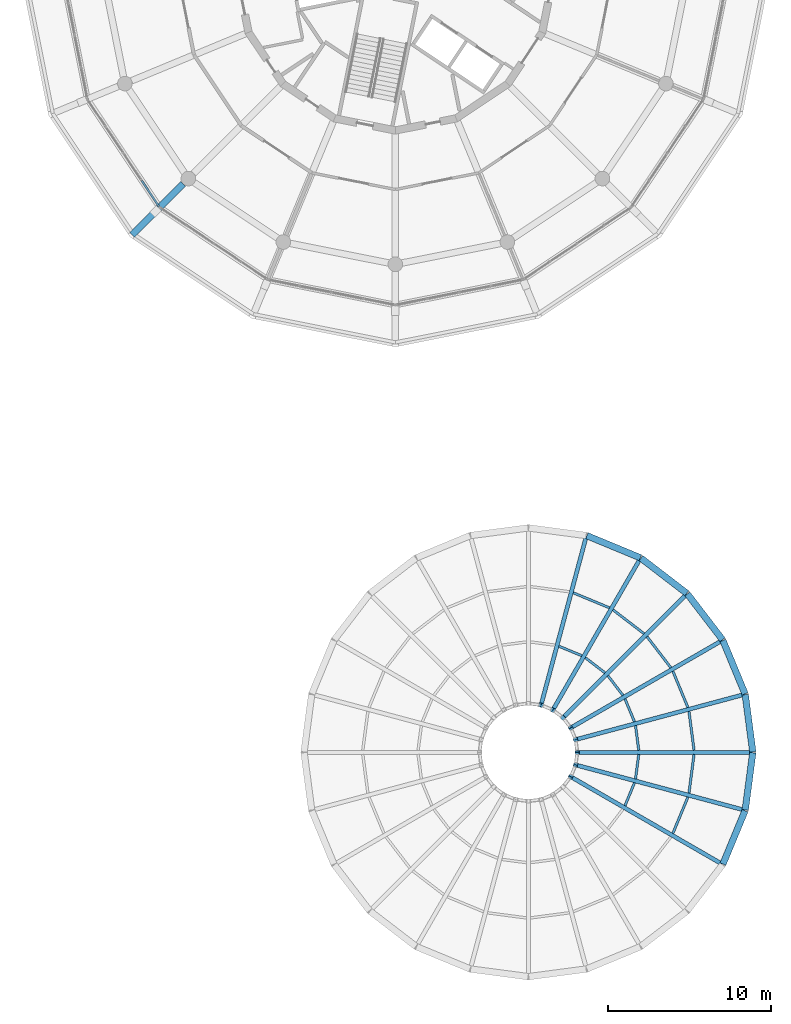
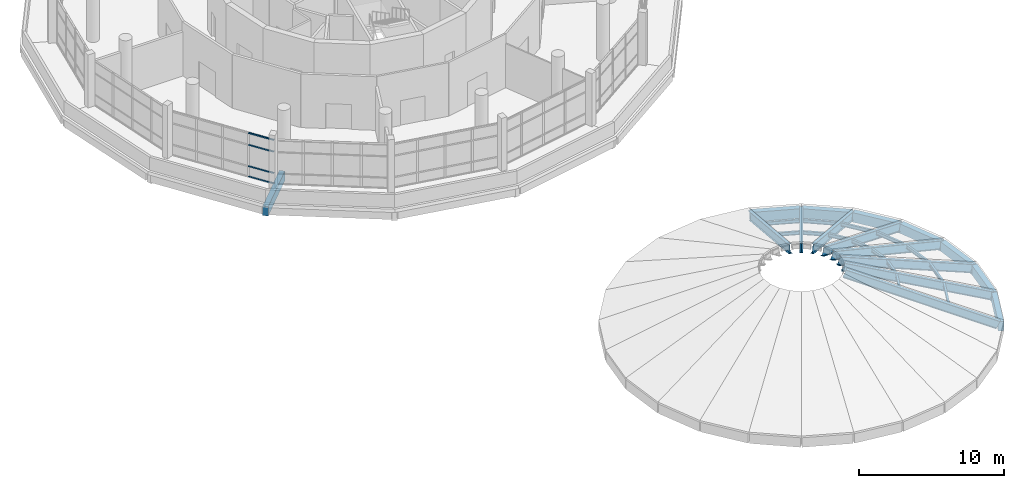
# One storey, part 2 of 21: 30 beams, 4 members, 1 element without a shape of its own.
"""IFC4 building model written with IfcOpenShell, lengths in metres."""

from ifc_helpers import new_model, si_unit, direction, frame, origin, origin_2d, place, context, subcontext, project, spatial, rectangle, i_section, extrude, material, material_profile, profile_set, type_object, element, aggregate, save


model = new_model("IFC4")

# Units and contexts
model_context = context("Model", 3, precision=1e-05, world=origin(), true_north=direction((0.0, 1.0)))
body_context = subcontext(model_context, "Body", "Model", "MODEL_VIEW")
ifc_project = project(units=[si_unit("LENGTHUNIT", "METRE"), si_unit("AREAUNIT", "SQUARE_METRE"), si_unit("VOLUMEUNIT", "CUBIC_METRE"), si_unit("PLANEANGLEUNIT", "RADIAN"), si_unit("MASSUNIT", "GRAM", prefix="KILO")], contexts=[model_context])

# Site, building, storey
site_placement = place(None, origin())
site = spatial("IfcSite", under=ifc_project, at=site_placement, CompositionType="ELEMENT")
building_placement = place(site_placement, origin())
building = spatial("IfcBuilding", under=site, at=building_placement, Name="Ceibo Conservatory and Research Tower", CompositionType="ELEMENT")
storey_placement = place(building_placement, frame((0.0, 0.0, 15.60009765625)))
storey = spatial("IfcBuildingStorey", under=building, at=storey_placement, Name="L03", CompositionType="ELEMENT", Elevation=15.60009765625)

# Curtain wall, members
ifc_material_1 = material(Name="Aluminium and glass", Category="aluminium")
curtain_wall_type = type_object("IfcCurtainWallType", Name="Curtain wall CW1", PredefinedType="NOTDEFINED", material=ifc_material_1)
curtain_wall_placement = place(storey_placement, origin())
curtain_wall = element("IfcCurtainWall", 1, at=curtain_wall_placement, inside=storey, type_object=curtain_wall_type, Name="CW-03.10", PredefinedType="NOTDEFINED")
ifc_material_2 = material(Name="Aluminium", Category="aluminium")
ifc_material_profile_1 = material_profile(ifc_material_2, rectangle(XDim=0.1201171875, YDim=0.06005859375, at=origin_2d()), Name="Aluminium 60 x 120")
ifc_profile_set_1 = profile_set([ifc_material_profile_1], Name="Aluminium")
member_type = type_object("IfcMemberType", Name="Aluminium transom 60 x 120", PredefinedType="USERDEFINED", material=ifc_profile_set_1)
member_1_placement = place(storey_placement, frame((32.409912109375, 107.14208984375, 0.02978515625), z_axis=(0.555584916278, -0.831459801075, 0.0), x_axis=(0.831459801075, 0.555584916278, 0.0)))
member_1 = element("IfcMember", 2, at=member_1_placement, type_object=member_type, Name="CW-03.10 transom 4.1", ObjectType="TRANSOM", PredefinedType="USERDEFINED", context=body_context, shape_type="SweptSolid", body=[
    extrude(rectangle(XDim=0.1201171875, YDim=0.06005859375, at=origin_2d()), origin(), (0.0, 0.0, 1.0), 1.90966796875),
])
member_2_placement = place(storey_placement, frame((32.409912109375, 107.14208984375, 0.89990234375), z_axis=(0.555584916278, -0.831459801075, 0.0), x_axis=(0.831459801075, 0.555584916278, 0.0)))
member_2 = element("IfcMember", 3, at=member_2_placement, type_object=member_type, Name="CW-03.10 transom 4.2", ObjectType="TRANSOM", PredefinedType="USERDEFINED", context=body_context, shape_type="SweptSolid", body=[
    extrude(rectangle(XDim=0.1201171875, YDim=0.06005859375, at=origin_2d()), origin(), (0.0, 0.0, 1.0), 1.90966796875),
])
member_3_placement = place(storey_placement, frame((32.409912109375, 107.14208984375, 2.699951171875), z_axis=(0.555584916278, -0.831459801075, 0.0), x_axis=(0.831459801075, 0.555584916278, 0.0)))
member_3 = element("IfcMember", 4, at=member_3_placement, type_object=member_type, Name="CW-03.10 transom 4.3", ObjectType="TRANSOM", PredefinedType="USERDEFINED", context=body_context, shape_type="SweptSolid", body=[
    extrude(rectangle(XDim=0.1201171875, YDim=0.06005859375, at=origin_2d()), origin(), (0.0, 0.0, 1.0), 1.90966796875),
])
member_4_placement = place(storey_placement, frame((32.409912109375, 107.14208984375, 3.68994140625), z_axis=(0.555584916278, -0.831459801075, 0.0), x_axis=(0.831459801075, 0.555584916278, 0.0)))
member_4 = element("IfcMember", 5, at=member_4_placement, type_object=member_type, Name="CW-03.10 transom 4.4", ObjectType="TRANSOM", PredefinedType="USERDEFINED", context=body_context, shape_type="SweptSolid", body=[
    extrude(rectangle(XDim=0.1201171875, YDim=0.06005859375, at=origin_2d()), origin(), (0.0, 0.0, 1.0), 1.90966796875),
])
aggregate(curtain_wall, [member_1, member_2, member_3, member_4])

# Beams
ifc_material_3 = material(Name="Concrete C35/45", Category="concrete")
ifc_material_profile_2 = material_profile(ifc_material_3, rectangle(XDim=0.39990234375, YDim=0.800048828125, at=origin_2d()), Name="RC 400x800")
ifc_profile_set_2 = profile_set([ifc_material_profile_2], Name="Concrete C35/45")
beam_type_1 = type_object("IfcBeamType", Name="RC beam 400x800 C35", PredefinedType="BEAM", material=ifc_profile_set_2)
beam_1_placement = place(storey_placement, frame((69.974853515625, 72.026123046875, 0.349853515625), z_axis=(-0.130482981263, 0.991450549246, 0.0), x_axis=(-0.991450549246, -0.130482981263, 0.0)))
element("IfcBeam", 6, at=beam_1_placement, inside=storey, type_object=beam_type_1, Name="Auditorium ring beam 01", PredefinedType="BEAM", context=body_context, shape_type="SweptSolid", body=[
    extrude(rectangle(XDim=0.39990234375, YDim=0.800048828125, at=origin_2d()), origin(), (0.0, 0.0, 1.0), 3.54931640625),
])
beam_2_placement = place(storey_placement, frame((69.498046875, 75.595703125, 0.349853515625), z_axis=(-0.382665679772, 0.923886885676, 0.0), x_axis=(-0.923886885676, -0.382665679772, 0.0)))
element("IfcBeam", 7, at=beam_2_placement, inside=storey, type_object=beam_type_1, Name="Auditorium ring beam 02", PredefinedType="BEAM", context=body_context, shape_type="SweptSolid", body=[
    extrude(rectangle(XDim=0.39990234375, YDim=0.800048828125, at=origin_2d()), origin(), (0.0, 0.0, 1.0), 3.549072265625),
])
beam_3_placement = place(storey_placement, frame((68.11376953125, 78.919921875, 0.349853515625), z_axis=(-0.608756372486, 0.793357220272, 0.0), x_axis=(-0.793357220272, -0.608756372486, 0.0)))
element("IfcBeam", 8, at=beam_3_placement, inside=storey, type_object=beam_type_1, Name="Auditorium ring beam 03", PredefinedType="BEAM", context=body_context, shape_type="SweptSolid", body=[
    extrude(rectangle(XDim=0.39990234375, YDim=0.800048828125, at=origin_2d()), origin(), (0.0, 0.0, 1.0), 3.549560546875),
])
beam_4_placement = place(storey_placement, frame((65.916015625, 81.77294921875, 0.349853515625), z_axis=(-0.793364950044, 0.608746298586, 0.0), x_axis=(-0.608746298586, -0.793364950044, 0.0)))
element("IfcBeam", 9, at=beam_4_placement, inside=storey, type_object=beam_type_1, Name="Auditorium ring beam 04", PredefinedType="BEAM", context=body_context, shape_type="SweptSolid", body=[
    extrude(rectangle(XDim=0.39990234375, YDim=0.800048828125, at=origin_2d()), origin(), (0.0, 0.0, 1.0), 3.54931640625),
])
beam_5_placement = place(storey_placement, frame((63.054931640625, 83.959716796875, 0.349853515625), z_axis=(-0.923872639928, 0.382700072108, 0.0), x_axis=(-0.382700072108, -0.923872639928, 0.0)))
element("IfcBeam", 10, at=beam_5_placement, inside=storey, type_object=beam_type_1, Name="Auditorium ring beam 05", PredefinedType="BEAM", context=body_context, shape_type="SweptSolid", body=[
    extrude(rectangle(XDim=0.39990234375, YDim=0.800048828125, at=origin_2d()), origin(), (0.0, 0.0, 1.0), 3.549560546875),
])
beam_6_placement = place(storey_placement, frame((68.139892578125, 65.125244140625, 0.349853515625), z_axis=(0.382665679772, 0.923886885676, 0.0), x_axis=(-0.923886885676, 0.382665679772, 0.0)))
element("IfcBeam", 11, at=beam_6_placement, inside=storey, type_object=beam_type_1, Name="Auditorium ring beam 23", PredefinedType="BEAM", context=body_context, shape_type="SweptSolid", body=[
    extrude(rectangle(XDim=0.39990234375, YDim=0.800048828125, at=origin_2d()), origin(), (0.0, 0.0, 1.0), 3.549072265625),
])
beam_7_placement = place(storey_placement, frame((69.51171875, 68.454833984375, 0.349853515625), z_axis=(0.130482981263, 0.991450549246, 0.0), x_axis=(-0.991450549246, 0.130482981263, 0.0)))
element("IfcBeam", 12, at=beam_7_placement, inside=storey, type_object=beam_type_1, Name="Auditorium ring beam 24", PredefinedType="BEAM", context=body_context, shape_type="SweptSolid", body=[
    extrude(rectangle(XDim=0.39990234375, YDim=0.800048828125, at=origin_2d()), origin(), (0.0, 0.0, 1.0), 3.54931640625),
])
ifc_material_profile_3 = material_profile(ifc_material_3, rectangle(XDim=0.39990234375, YDim=0.800048828125, at=origin_2d()), Name="RC 400x800")
ifc_profile_set_3 = profile_set([ifc_material_profile_3], Name="Concrete C35/45")
beam_type_2 = type_object("IfcBeamType", Name="RC cantilever beam 400x800 C35", PredefinedType="BEAM", material=ifc_profile_set_3)
beam_8_placement = place(storey_placement, frame((34.953857421875, 106.953857421875, -0.68017578125), z_axis=(-0.707106781187, -0.707106781187, 0.0), x_axis=(0.707106781187, -0.707106781187, 0.0)))
element("IfcBeam", 13, at=beam_8_placement, inside=storey, type_object=beam_type_2, Name="Radial cantilever beam R11 L03", PredefinedType="BEAM", context=body_context, shape_type="SweptSolid", body=[
    extrude(rectangle(XDim=0.39990234375, YDim=0.800048828125, at=origin_2d()), origin(), (0.0, 0.0, 1.0), 4.445068359375),
])
ifc_material_4 = material(Name="Steel S355J2", Category="steel")
ifc_material_profile_4 = material_profile(ifc_material_4, i_section(OverallWidth=0.25, OverallDepth=0.699951171875, WebThickness=0.011962890625, FlangeThickness=0.02490234375, at=origin_2d()), Name="PG 700x250")
ifc_profile_set_4 = profile_set([ifc_material_profile_4], Name="Steel S355J2")
beam_type_3 = type_object("IfcBeamType", Name="roof girder PG 700x250", PredefinedType="BEAM", material=ifc_profile_set_4)
beam_9_placement = place(storey_placement, frame((69.796630859375, 72.0, 0.5146484375), z_axis=(-0.925549329485, 0.0, 0.378627044319), x_axis=(0.0, -1.0, 0.0)))
element("IfcBeam", 14, at=beam_9_placement, inside=storey, type_object=beam_type_3, Name="Auditorium roof girder 01", PredefinedType="BEAM", context=body_context, shape_type="SweptSolid", body=[
    extrude(i_section(OverallWidth=0.25, OverallDepth=0.699951171875, WebThickness=0.011962890625, FlangeThickness=0.02490234375, at=origin_2d()), origin(), (0.0, 0.0, 1.0), 11.470458984375),
])
for number, where, z_axis, x_axis, name in (
    (15, (69.332763671875, 75.524169921875, 0.5146484375), (-0.89401390067, -0.239551624894, 0.378621399843), (0.258820377948, -0.965925469153, 0.0), "Auditorium roof girder 02"),
    (16, (67.972412109375, 78.808349609375, 0.5146484375), (-0.801552020997, -0.462776038039, 0.378619461007), (0.499999807909, -0.866025514688, 0.0), "Auditorium roof girder 03"),
):
    element("IfcBeam", number, at=place(storey_placement, frame(where, z_axis=z_axis, x_axis=x_axis)), inside=storey, type_object=beam_type_3, Name=name, PredefinedType="BEAM", context=body_context, shape_type="SweptSolid", body=[
        extrude(i_section(OverallWidth=0.25, OverallDepth=0.699951171875, WebThickness=0.011962890625, FlangeThickness=0.02490234375, at=origin_2d()), origin(), (0.0, 0.0, 1.0), 11.470703125),
    ])
for number, where, z_axis, x_axis, name in (
    (17, (65.808349609375, 81.62841796875, 0.5146484375), (-0.65445144784, -0.654472732198, 0.378627449123), (0.707118279325, -0.707095282861, 0.0), "Auditorium roof girder 04"),
    (18, (62.98828125, 83.792236328125, 0.5146484375), (-0.462767207081, -0.801552306662, 0.378629649837), (0.866029723333, -0.499992518248, 0.0), "Auditorium roof girder 05"),
):
    element("IfcBeam", number, at=place(storey_placement, frame(where, z_axis=z_axis, x_axis=x_axis)), inside=storey, type_object=beam_type_3, Name=name, PredefinedType="BEAM", context=body_context, shape_type="SweptSolid", body=[
        extrude(i_section(OverallWidth=0.25, OverallDepth=0.699951171875, WebThickness=0.011962890625, FlangeThickness=0.02490234375, at=origin_2d()), origin(), (0.0, 0.0, 1.0), 11.470458984375),
    ])
for number, where, z_axis, x_axis, name in (
    (19, (59.704345703125, 85.152587890625, 0.5146484375), (-0.239551624894, -0.89401390067, 0.378621399843), (0.965925469153, -0.258820377948, 0.0), "Auditorium roof girder 06"),
    (20, (67.972412109375, 65.191650390625, 0.5146484375), (-0.801552020997, 0.462776038039, 0.378619461007), (-0.499999807909, -0.866025514688, 0.0), "Auditorium roof girder 23"),
    (21, (69.332763671875, 68.475830078125, 0.5146484375), (-0.89401390067, 0.239551624894, 0.378621399843), (-0.258820377948, -0.965925469153, 0.0), "Auditorium roof girder 24"),
):
    element("IfcBeam", number, at=place(storey_placement, frame(where, z_axis=z_axis, x_axis=x_axis)), inside=storey, type_object=beam_type_3, Name=name, PredefinedType="BEAM", context=body_context, shape_type="SweptSolid", body=[
        extrude(i_section(OverallWidth=0.25, OverallDepth=0.699951171875, WebThickness=0.011962890625, FlangeThickness=0.02490234375, at=origin_2d()), origin(), (0.0, 0.0, 1.0), 11.470703125),
    ])
ifc_material_profile_5 = material_profile(ifc_material_4, i_section(OverallWidth=0.14990234375, OverallDepth=0.300048828125, WebThickness=0.007080078125, FlangeThickness=0.0107421875, FilletRadius=0.014892578125, at=origin_2d()), Name="IPE 300")
ifc_profile_set_5 = profile_set([ifc_material_profile_5], Name="Steel S355J2")
beam_type_4 = type_object("IfcBeamType", Name="roof purlin IPE 300", PredefinedType="BEAM", material=ifc_profile_set_5)
for number, where, z_axis, x_axis, name in (
    (22, (62.963623046875, 72.125, 3.511474609375), (-0.130483538781, 0.991450475872, 0.0), (-0.991450475872, -0.130483538781, 0.0), "Auditorium roof purlin 01-01"),
    (23, (62.7001953125, 73.87646484375, 3.511474609375), (-0.382804828006, 0.923829239446, 0.0), (-0.923829239446, -0.382804828006, 0.0), "Auditorium roof purlin 01-02"),
    (24, (61.9921875, 75.5, 3.511474609375), (-0.608710848818, 0.793392149275, 0.0), (-0.793392149275, -0.608710848818, 0.0), "Auditorium roof purlin 01-03"),
    (25, (60.888427734375, 76.885009765625, 3.511474609375), (-0.793314727523, 0.608811746844, 0.0), (-0.608811746844, -0.793314727523, 0.0), "Auditorium roof purlin 01-04"),
    (26, (59.463623046875, 77.937255859375, 3.511474609375), (-0.923885923542, 0.382668002689, 0.0), (-0.382668002689, -0.923885923542, 0.0), "Auditorium roof purlin 01-05"),
    (27, (62.1171875, 68.716552734375, 3.511474609375), (0.382804828006, 0.923829239446, 0.0), (-0.923829239446, 0.382804828006, 0.0), "Auditorium roof purlin 01-23"),
    (28, (62.764892578125, 70.364990234375, 3.511474609375), (0.130483538781, 0.991450475872, 0.0), (-0.991450475872, 0.130483538781, 0.0), "Auditorium roof purlin 01-24"),
):
    element("IfcBeam", number, at=place(storey_placement, frame(where, z_axis=z_axis, x_axis=x_axis)), inside=storey, type_object=beam_type_4, Name=name, PredefinedType="BEAM", context=body_context, shape_type="SweptSolid", body=[
        extrude(i_section(OverallWidth=0.14990234375, OverallDepth=0.300048828125, WebThickness=0.007080078125, FlangeThickness=0.0107421875, FilletRadius=0.014892578125, at=origin_2d()), origin(), (0.0, 0.0, 1.0), 1.52294921875),
    ])
beam_10_placement = place(storey_placement, frame((66.363525390625, 72.125, 2.12060546875), z_axis=(-0.130451892601, 0.991454640272, 0.0), x_axis=(-0.991454640272, -0.130451892601, 0.0)))
element("IfcBeam", 29, at=beam_10_placement, inside=storey, type_object=beam_type_4, Name="Auditorium roof purlin 02-01", PredefinedType="BEAM", context=body_context, shape_type="SweptSolid", body=[
    extrude(i_section(OverallWidth=0.14990234375, OverallDepth=0.300048828125, WebThickness=0.007080078125, FlangeThickness=0.0107421875, FilletRadius=0.014892578125, at=origin_2d()), origin(), (0.0, 0.0, 1.0), 2.410400390625),
])
for number, where, z_axis, x_axis, name in (
    (30, (65.984375, 74.75634765625, 2.12060546875), (-0.382730448676, 0.923860056316, 0.0), (-0.923860056316, -0.382730448676, 0.0), "Auditorium roof purlin 02-02"),
    (31, (64.936767578125, 77.199951171875, 2.12060546875), (-0.608746154895, 0.793365060297, 0.0), (-0.793365060297, -0.608746154895, 0.0), "Auditorium roof purlin 02-03"),
):
    element("IfcBeam", number, at=place(storey_placement, frame(where, z_axis=z_axis, x_axis=x_axis)), inside=storey, type_object=beam_type_4, Name=name, PredefinedType="BEAM", context=body_context, shape_type="SweptSolid", body=[
        extrude(i_section(OverallWidth=0.14990234375, OverallDepth=0.300048828125, WebThickness=0.007080078125, FlangeThickness=0.0107421875, FilletRadius=0.014892578125, at=origin_2d()), origin(), (0.0, 0.0, 1.0), 2.41064453125),
    ])
beam_11_placement = place(storey_placement, frame((63.29248046875, 79.289306640625, 2.12060546875), z_axis=(-0.793376443338, 0.608731319349, 0.0), x_axis=(-0.608731319349, -0.793376443338, 0.0)))
element("IfcBeam", 32, at=beam_11_placement, inside=storey, type_object=beam_type_4, Name="Auditorium roof purlin 02-04", PredefinedType="BEAM", context=body_context, shape_type="SweptSolid", body=[
    extrude(i_section(OverallWidth=0.14990234375, OverallDepth=0.300048828125, WebThickness=0.007080078125, FlangeThickness=0.0107421875, FilletRadius=0.014892578125, at=origin_2d()), origin(), (0.0, 0.0, 1.0), 2.410400390625),
])
for number, where, z_axis, x_axis, name in (
    (33, (61.16357421875, 80.881591796875, 2.12060546875), (-0.923860056316, 0.382730448676, 0.0), (-0.382730448676, -0.923860056316, 0.0), "Auditorium roof purlin 02-05"),
    (34, (65.061767578125, 67.0166015625, 2.12060546875), (0.382730448676, 0.923860056316, 0.0), (-0.923860056316, 0.382730448676, 0.0), "Auditorium roof purlin 02-23"),
):
    element("IfcBeam", number, at=place(storey_placement, frame(where, z_axis=z_axis, x_axis=x_axis)), inside=storey, type_object=beam_type_4, Name=name, PredefinedType="BEAM", context=body_context, shape_type="SweptSolid", body=[
        extrude(i_section(OverallWidth=0.14990234375, OverallDepth=0.300048828125, WebThickness=0.007080078125, FlangeThickness=0.0107421875, FilletRadius=0.014892578125, at=origin_2d()), origin(), (0.0, 0.0, 1.0), 2.41064453125),
    ])
beam_12_placement = place(storey_placement, frame((66.049072265625, 69.485107421875, 2.12060546875), z_axis=(0.130451892601, 0.991454640272, 0.0), x_axis=(-0.991454640272, 0.130451892601, 0.0)))
element("IfcBeam", 35, at=beam_12_placement, inside=storey, type_object=beam_type_4, Name="Auditorium roof purlin 02-24", PredefinedType="BEAM", context=body_context, shape_type="SweptSolid", body=[
    extrude(i_section(OverallWidth=0.14990234375, OverallDepth=0.300048828125, WebThickness=0.007080078125, FlangeThickness=0.0107421875, FilletRadius=0.014892578125, at=origin_2d()), origin(), (0.0, 0.0, 1.0), 2.410400390625),
])

save(model, "model.ifc")
